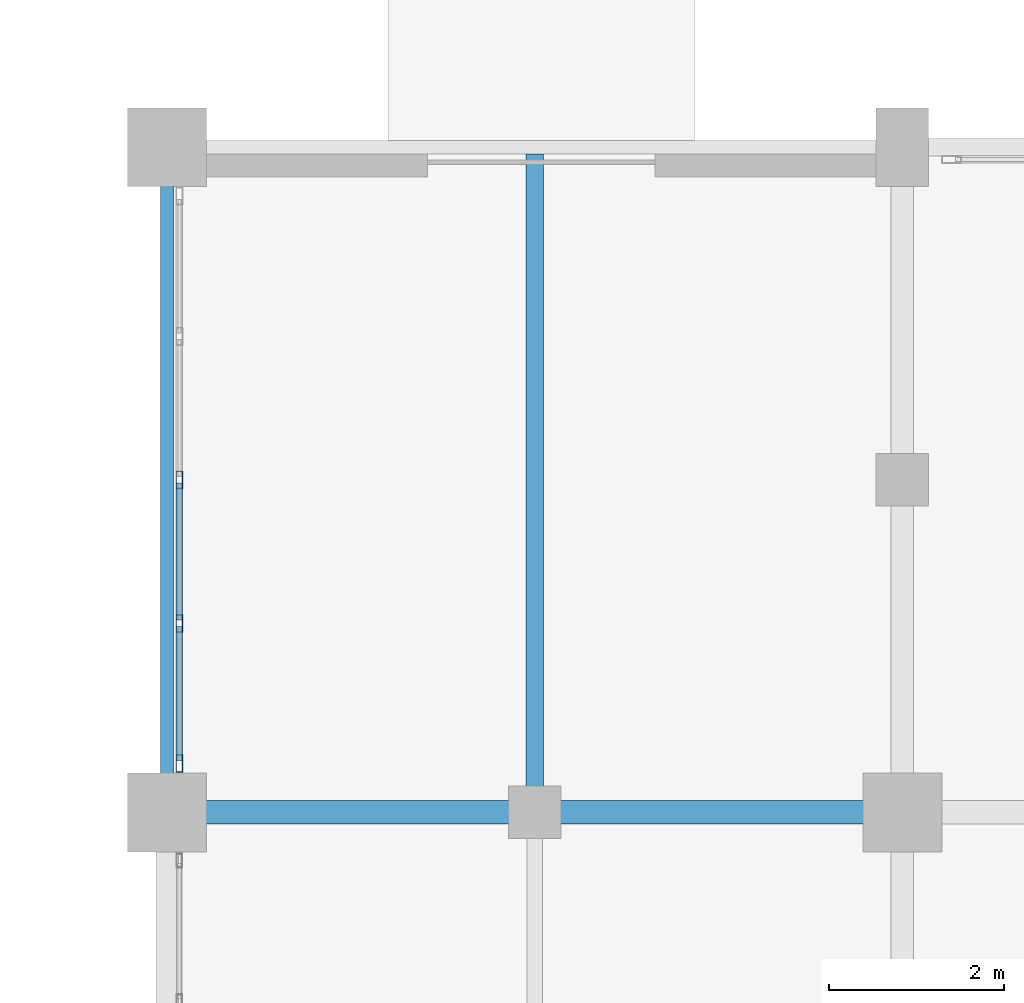
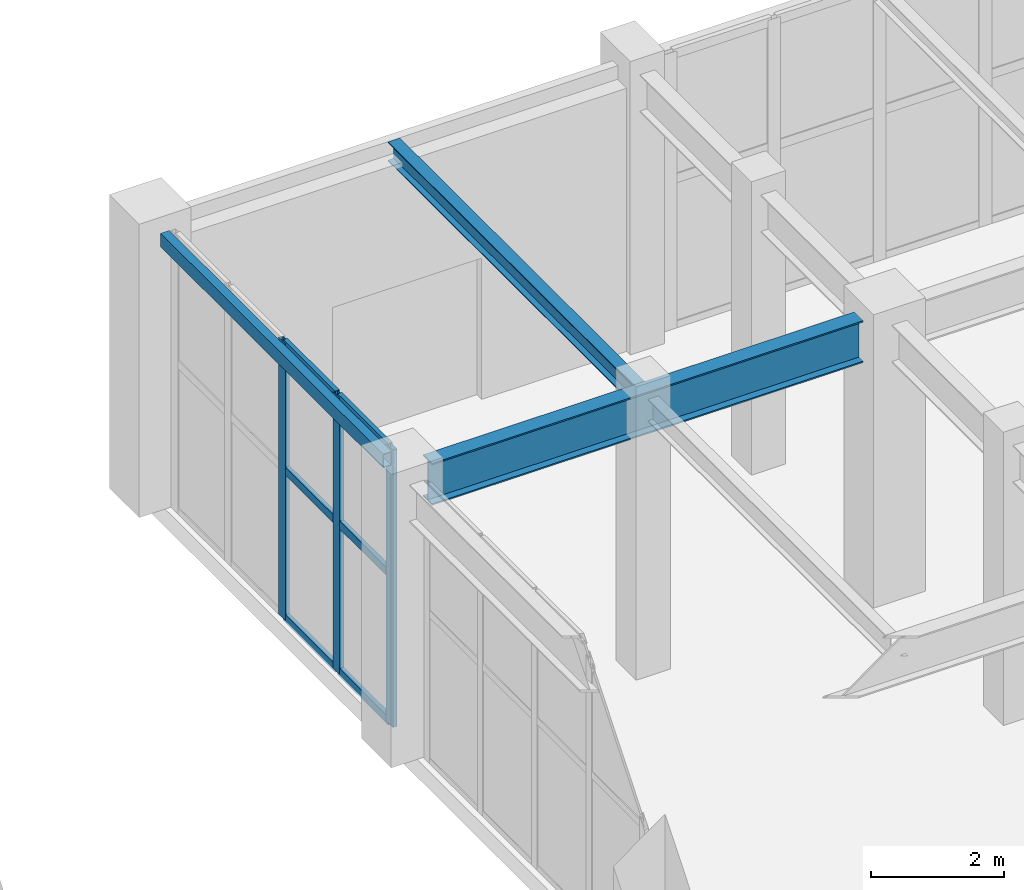
# One storey, part 56 of 139: 9 members, 3 beams, 1 element without a shape of its own.
"""IFC4 building model written with IfcOpenShell, lengths in metres."""

from ifc_helpers import new_model, si_unit, direction, frame, origin, origin_2d, place, context, subcontext, project, spatial, hollow_rectangle, i_section, extrude, material, layer, layer_set, material_profile, profile_set, type_object, element, aggregate, save


model = new_model("IFC4")

# Units and contexts
model_context = context("Model", 3, precision=1e-05, world=origin(), true_north=direction((0.0, 1.0)))
body_context = subcontext(model_context, "Body", "Model", "MODEL_VIEW")
ifc_project = project(units=[si_unit("LENGTHUNIT", "METRE"), si_unit("AREAUNIT", "SQUARE_METRE"), si_unit("VOLUMEUNIT", "CUBIC_METRE"), si_unit("PLANEANGLEUNIT", "RADIAN"), si_unit("MASSUNIT", "GRAM", prefix="KILO")], contexts=[model_context])

# Site, building, storey
site_placement = place(None, origin())
site = spatial("IfcSite", under=ifc_project, at=site_placement, CompositionType="ELEMENT")
building_placement = place(site_placement, origin())
building = spatial("IfcBuilding", under=site, at=building_placement, Name="Xicomal Pleat Aquarium", CompositionType="ELEMENT")
storey_placement = place(building_placement, origin())
storey = spatial("IfcBuildingStorey", under=building, at=storey_placement, Name="L01", CompositionType="ELEMENT", Elevation=0.0)

# Beams
ifc_material_1 = material(Name="Structural steel A992 Gr 50", Category="steel")
ifc_material_profile_1 = material_profile(ifc_material_1, i_section(OverallWidth=0.205078125, OverallDepth=0.35400390625, WebThickness=0.009521484375, FlangeThickness=0.016845703125, at=origin_2d()), Name="IR 360x79")
ifc_profile_set_1 = profile_set([ifc_material_profile_1], Name="Structural steel A992 Gr 50")
beam_type_1 = type_object("IfcBeamType", Name="BM-STL-IR360", PredefinedType="JOIST", material=ifc_profile_set_1)
beam_1_placement = place(storey_placement, frame((48.0, 76.136962890625, 4.923095703125), z_axis=(0.0, 1.0, 0.0), x_axis=(-1.0, 0.0, 0.0)))
element("IfcBeam", 1, at=beam_1_placement, inside=storey, type_object=beam_type_1, Name="L01 framing beam FBJ-L01-06-L-1", PredefinedType="JOIST", context=body_context, shape_type="SweptSolid", body=[
    extrude(i_section(OverallWidth=0.205078125, OverallDepth=0.35400390625, WebThickness=0.009521484375, FlangeThickness=0.016845703125, at=origin_2d()), origin(), (0.0, 0.0, 1.0), 7.385009765625),
])
ifc_material_2 = material(Name="Structural steel A992 Gr 50", Category="steel")
ifc_material_profile_2 = material_profile(ifc_material_2, i_section(OverallWidth=0.26806640625, OverallDepth=0.77001953125, WebThickness=0.015625, FlangeThickness=0.025390625, at=origin_2d()), Name="IR 760x196")
ifc_profile_set_2 = profile_set([ifc_material_profile_2], Name="Structural steel A992 Gr 50")
beam_type_2 = type_object("IfcBeamType", Name="BM-STL-IR760", PredefinedType="BEAM", material=ifc_profile_set_2)
beam_2_placement = place(storey_placement, frame((44.2451171875, 76.0, 4.715087890625), z_axis=(1.0, 0.0, 0.0), x_axis=(0.0, 1.0, 0.0)))
element("IfcBeam", 2, at=beam_2_placement, inside=storey, type_object=beam_type_2, Name="L01 framing beam FGX-L01-06-07-L", PredefinedType="BEAM", context=body_context, shape_type="SweptSolid", body=[
    extrude(i_section(OverallWidth=0.26806640625, OverallDepth=0.77001953125, WebThickness=0.015625, FlangeThickness=0.025390625, at=origin_2d()), origin(), (0.0, 0.0, 1.0), 7.509765625),
])
ifc_material_3 = material(Name="Structural steel A500 Gr C", Category="steel")
ifc_material_profile_3 = material_profile(ifc_material_3, hollow_rectangle(XDim=0.14990234375, YDim=0.25, WallThickness=0.010009765625, at=origin_2d()), Name="OR 250x150x10")
ifc_profile_set_3 = profile_set([ifc_material_profile_3], Name="Structural steel A500 Gr C")
beam_type_3 = type_object("IfcBeamType", Name="BM-STL-OR250", PredefinedType="SPANDREL", material=ifc_profile_set_3)
beam_3_placement = place(storey_placement, frame((43.800048828125, 76.445068359375, 4.97509765625), z_axis=(0.0, 1.0, 0.0), x_axis=(-1.0, 0.0, 0.0)))
element("IfcBeam", 3, at=beam_3_placement, inside=storey, type_object=beam_type_3, Name="L01 framing beam FGY-L01-06-L-M", PredefinedType="SPANDREL", context=body_context, shape_type="SweptSolid", body=[
    extrude(hollow_rectangle(XDim=0.14990234375, YDim=0.25, WallThickness=0.010009765625, at=origin_2d()), origin(), (0.0, 0.0, 1.0), 6.7099609375),
])

# Curtain wall, members
ifc_material_4 = material(Name="Bronze anodized aluminium 6063-T6", Category="aluminium")
ifc_layer = layer(ifc_material_4, 0.159912109375)
ifc_layer_set = layer_set([ifc_layer], Name="Bronze anodized aluminium 6063-T6")
curtain_wall_type = type_object("IfcCurtainWallType", Name="CW-SYS-06", PredefinedType="NOTDEFINED", material=ifc_layer_set)
curtain_wall_placement = place(storey_placement, origin())
curtain_wall = element("IfcCurtainWall", 4, at=curtain_wall_placement, inside=storey, type_object=curtain_wall_type, Name="L01 unitised curtain wall CW-L01-034", PredefinedType="NOTDEFINED")
ifc_material_5 = material(Name="Bronze anodized aluminium 6063-T6", Category="aluminium")
ifc_material_profile_4 = material_profile(ifc_material_5, hollow_rectangle(XDim=0.074951171875, YDim=0.199951171875, WallThickness=0.00439453125, at=origin_2d()), Name="ALU MULL 75x200")
ifc_profile_set_4 = profile_set([ifc_material_profile_4], Name="Bronze anodized aluminium 6063-T6")
member_type_1 = type_object("IfcMemberType", Name="CWM-75x200", PredefinedType="MULLION", material=ifc_profile_set_4)
member_1_placement = place(storey_placement, frame((43.93994140625, 76.5576171875, 0.0), z_axis=(0.0, 0.0, 1.0), x_axis=(-1.0, 0.0, 0.0)))
member_1 = element("IfcMember", 5, at=member_1_placement, type_object=member_type_1, Name="CW-06 mullion 1", PredefinedType="MULLION", context=body_context, shape_type="SweptSolid", body=[
    extrude(hollow_rectangle(XDim=0.074951171875, YDim=0.199951171875, WallThickness=0.00439453125, at=origin_2d()), origin(), (0.0, 0.0, 1.0), 5.10009765625),
])
member_2_placement = place(storey_placement, frame((43.93994140625, 78.159912109375, 0.0), z_axis=(0.0, 0.0, 1.0), x_axis=(-1.0, 0.0, 0.0)))
member_2 = element("IfcMember", 6, at=member_2_placement, type_object=member_type_1, Name="CW-06 mullion 2", PredefinedType="MULLION", context=body_context, shape_type="SweptSolid", body=[
    extrude(hollow_rectangle(XDim=0.074951171875, YDim=0.199951171875, WallThickness=0.00439453125, at=origin_2d()), origin(), (0.0, 0.0, 1.0), 5.10009765625),
])
member_3_placement = place(storey_placement, frame((43.93994140625, 79.800048828125, 0.0), z_axis=(0.0, 0.0, 1.0), x_axis=(-1.0, 0.0, 0.0)))
member_3 = element("IfcMember", 7, at=member_3_placement, type_object=member_type_1, Name="CW-06 mullion 3", PredefinedType="MULLION", context=body_context, shape_type="SweptSolid", body=[
    extrude(hollow_rectangle(XDim=0.074951171875, YDim=0.199951171875, WallThickness=0.00439453125, at=origin_2d()), origin(), (0.0, 0.0, 1.0), 5.10009765625),
])
ifc_material_6 = material(Name="Bronze anodized aluminium 6063-T6", Category="aluminium")
ifc_material_profile_5 = material_profile(ifc_material_6, hollow_rectangle(XDim=0.074951171875, YDim=0.14990234375, WallThickness=0.00439453125, at=origin_2d()), Name="ALU TRAN 75x150")
ifc_profile_set_5 = profile_set([ifc_material_profile_5], Name="Bronze anodized aluminium 6063-T6")
member_type_2 = type_object("IfcMemberType", Name="CWT-75x150", PredefinedType="USERDEFINED", material=ifc_profile_set_5)
member_4_placement = place(storey_placement, frame((43.93994140625, 76.594970703125, 0.03759765625), z_axis=(0.0, 1.0, 0.0), x_axis=(-1.0, 0.0, 0.0)))
member_4 = element("IfcMember", 8, at=member_4_placement, type_object=member_type_2, Name="CW-06 transom 1.1", ObjectType="TRANSOM", PredefinedType="USERDEFINED", context=body_context, shape_type="SweptSolid", body=[
    extrude(hollow_rectangle(XDim=0.074951171875, YDim=0.14990234375, WallThickness=0.00439453125, at=origin_2d()), origin(), (0.0, 0.0, 1.0), 1.527587890625),
])
member_5_placement = place(storey_placement, frame((43.93994140625, 76.594970703125, 2.75390625), z_axis=(0.0, 1.0, 0.0), x_axis=(-1.0, 0.0, 0.0)))
member_5 = element("IfcMember", 9, at=member_5_placement, type_object=member_type_2, Name="CW-06 transom 1.2", ObjectType="TRANSOM", PredefinedType="USERDEFINED", context=body_context, shape_type="SweptSolid", body=[
    extrude(hollow_rectangle(XDim=0.074951171875, YDim=0.14990234375, WallThickness=0.00439453125, at=origin_2d()), origin(), (0.0, 0.0, 1.0), 1.527587890625),
])
member_6_placement = place(storey_placement, frame((43.93994140625, 76.594970703125, 5.0625), z_axis=(0.0, 1.0, 0.0), x_axis=(-1.0, 0.0, 0.0)))
member_6 = element("IfcMember", 10, at=member_6_placement, type_object=member_type_2, Name="CW-06 transom 1.3", ObjectType="TRANSOM", PredefinedType="USERDEFINED", context=body_context, shape_type="SweptSolid", body=[
    extrude(hollow_rectangle(XDim=0.074951171875, YDim=0.14990234375, WallThickness=0.00439453125, at=origin_2d()), origin(), (0.0, 0.0, 1.0), 1.527587890625),
])
member_7_placement = place(storey_placement, frame((43.93994140625, 78.197509765625, 0.03759765625), z_axis=(0.0, 1.0, 0.0), x_axis=(-1.0, 0.0, 0.0)))
member_7 = element("IfcMember", 11, at=member_7_placement, type_object=member_type_2, Name="CW-06 transom 2.1", ObjectType="TRANSOM", PredefinedType="USERDEFINED", context=body_context, shape_type="SweptSolid", body=[
    extrude(hollow_rectangle(XDim=0.074951171875, YDim=0.14990234375, WallThickness=0.00439453125, at=origin_2d()), origin(), (0.0, 0.0, 1.0), 1.56494140625),
])
member_8_placement = place(storey_placement, frame((43.93994140625, 78.197509765625, 2.75390625), z_axis=(0.0, 1.0, 0.0), x_axis=(-1.0, 0.0, 0.0)))
member_8 = element("IfcMember", 12, at=member_8_placement, type_object=member_type_2, Name="CW-06 transom 2.2", ObjectType="TRANSOM", PredefinedType="USERDEFINED", context=body_context, shape_type="SweptSolid", body=[
    extrude(hollow_rectangle(XDim=0.074951171875, YDim=0.14990234375, WallThickness=0.00439453125, at=origin_2d()), origin(), (0.0, 0.0, 1.0), 1.56494140625),
])
member_9_placement = place(storey_placement, frame((43.93994140625, 78.197509765625, 5.0625), z_axis=(0.0, 1.0, 0.0), x_axis=(-1.0, 0.0, 0.0)))
member_9 = element("IfcMember", 13, at=member_9_placement, type_object=member_type_2, Name="CW-06 transom 2.3", ObjectType="TRANSOM", PredefinedType="USERDEFINED", context=body_context, shape_type="SweptSolid", body=[
    extrude(hollow_rectangle(XDim=0.074951171875, YDim=0.14990234375, WallThickness=0.00439453125, at=origin_2d()), origin(), (0.0, 0.0, 1.0), 1.56494140625),
])
aggregate(curtain_wall, [member_1, member_2, member_3, member_4, member_5, member_6, member_7, member_8, member_9])

save(model, "model.ifc")
